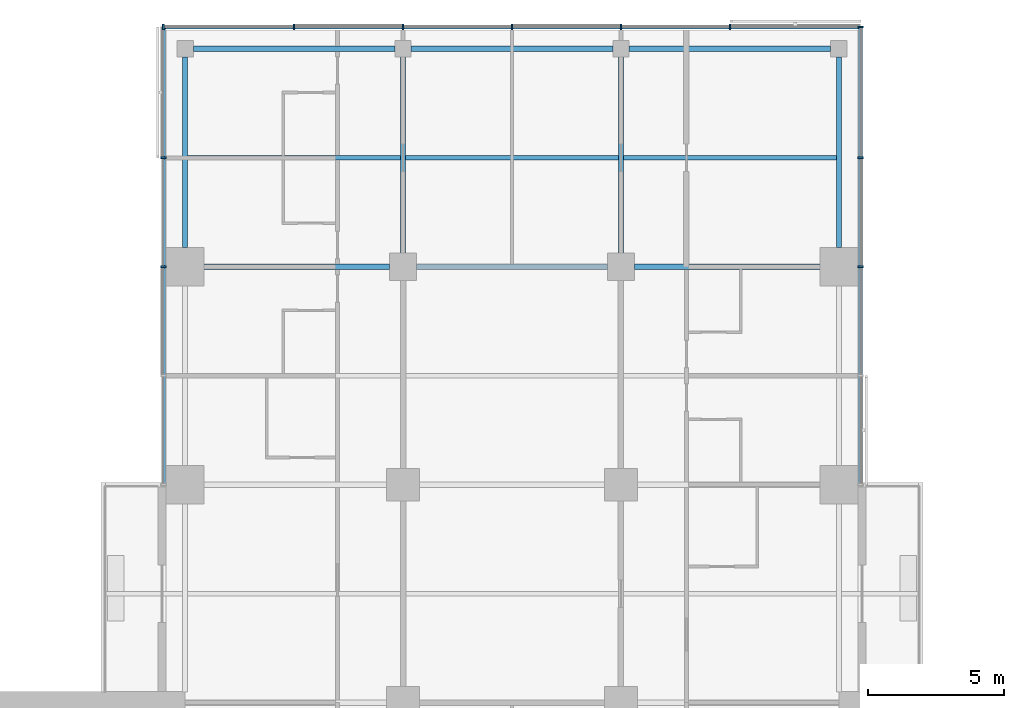
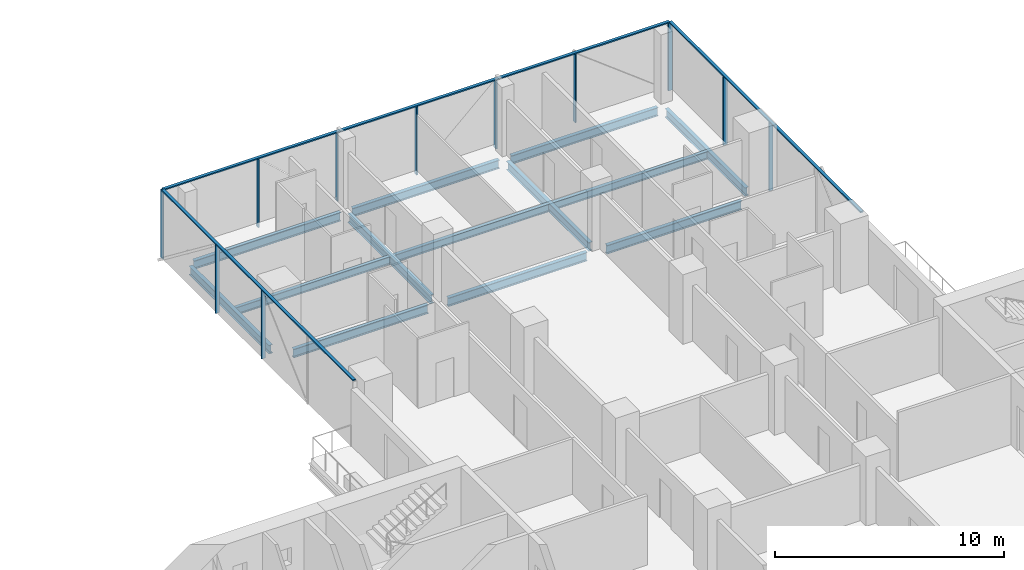
# One storey, part 12 of 27: 14 members, 13 beams, 3 elements without a shape of their own.
"""IFC4 building model written with IfcOpenShell, lengths in metres."""

from ifc_helpers import new_model, si_unit, direction, frame, origin, origin_2d, place, context, subcontext, project, spatial, rectangle, i_section, extrude, material, material_profile, profile_set, type_object, element, aggregate, save


model = new_model("IFC4")

# Units and contexts
model_context = context("Model", 3, precision=1e-05, world=origin(), true_north=direction((0.0, 1.0)))
body_context = subcontext(model_context, "Body", "Model", "MODEL_VIEW")
ifc_project = project(units=[si_unit("LENGTHUNIT", "METRE"), si_unit("AREAUNIT", "SQUARE_METRE"), si_unit("VOLUMEUNIT", "CUBIC_METRE"), si_unit("PLANEANGLEUNIT", "RADIAN"), si_unit("MASSUNIT", "GRAM", prefix="KILO")], contexts=[model_context])

# Site, building, storey
site_placement = place(None, origin())
site = spatial("IfcSite", under=ifc_project, at=site_placement, CompositionType="ELEMENT")
building_placement = place(site_placement, origin())
building = spatial("IfcBuilding", under=site, at=building_placement, Name="Crosswind Convention Tower", CompositionType="ELEMENT")
storey_placement = place(building_placement, frame((0.0, 0.0, 72.0)))
storey = spatial("IfcBuildingStorey", under=building, at=storey_placement, Name="L12", CompositionType="ELEMENT", Elevation=72.0)

# Beams
ifc_material_1 = material(Name="Steel S355", Category="steel")
ifc_material_profile_1 = material_profile(ifc_material_1, i_section(OverallWidth=0.1904296875, OverallDepth=0.457275390625, WebThickness=0.009033203125, FlangeThickness=0.014404296875, FilletRadius=0.01025390625, at=origin_2d()), Name="UB 457x191x75")
ifc_profile_set_1 = profile_set([ifc_material_profile_1], Name="Steel S355")
beam_type_1 = type_object("IfcBeamType", Name="Edge beam UB 457x191x75", PredefinedType="SPANDREL", material=ifc_profile_set_1)
beam_1_placement = place(storey_placement, frame((113.0, 128.699951171875, -0.508544921875), z_axis=(0.0, 1.0, 0.0), x_axis=(-1.0, 0.0, 0.0)))
element("IfcBeam", 1, at=beam_1_placement, inside=storey, type_object=beam_type_1, Name="B17 L12 edge beam 11", PredefinedType="SPANDREL", context=body_context, shape_type="SweptSolid", body=[
    extrude(i_section(OverallWidth=0.1904296875, OverallDepth=0.457275390625, WebThickness=0.009033203125, FlangeThickness=0.014404296875, FilletRadius=0.01025390625, at=origin_2d()), origin(), (0.0, 0.0, 1.0), 7.0),
])
for number, where, z_axis, x_axis, name in (
    (2, (113.300048828125, 136.0, -0.508544921875), (1.0, 0.0, 0.0), (0.0, 1.0, 0.0), "B17 L12 edge beam 13"),
    (3, (121.300048828125, 136.0, -0.508544921875), (1.0, 0.0, 0.0), (0.0, 1.0, 0.0), "B17 L12 edge beam 15"),
    (4, (129.300048828125, 136.0, -0.508544921875), (1.0, 0.0, 0.0), (0.0, 1.0, 0.0), "B17 L12 edge beam 17"),
):
    element("IfcBeam", number, at=place(storey_placement, frame(where, z_axis=z_axis, x_axis=x_axis)), inside=storey, type_object=beam_type_1, Name=name, PredefinedType="SPANDREL", context=body_context, shape_type="SweptSolid", body=[
        extrude(i_section(OverallWidth=0.1904296875, OverallDepth=0.457275390625, WebThickness=0.009033203125, FlangeThickness=0.014404296875, FilletRadius=0.01025390625, at=origin_2d()), origin(), (0.0, 0.0, 1.0), 7.39990234375),
    ])
beam_2_placement = place(storey_placement, frame((137.0, 128.699951171875, -0.508544921875), z_axis=(0.0, 1.0, 0.0), x_axis=(-1.0, 0.0, 0.0)))
element("IfcBeam", 5, at=beam_2_placement, inside=storey, type_object=beam_type_1, Name="B17 L12 edge beam 23", PredefinedType="SPANDREL", context=body_context, shape_type="SweptSolid", body=[
    extrude(i_section(OverallWidth=0.1904296875, OverallDepth=0.457275390625, WebThickness=0.009033203125, FlangeThickness=0.014404296875, FilletRadius=0.01025390625, at=origin_2d()), origin(), (0.0, 0.0, 1.0), 7.0),
])
ifc_material_profile_2 = material_profile(ifc_material_1, i_section(OverallWidth=0.19140625, OverallDepth=0.460205078125, WebThickness=0.010009765625, FlangeThickness=0.01611328125, FilletRadius=0.01025390625, at=origin_2d()), Name="UB 457x191x82")
ifc_profile_set_2 = profile_set([ifc_material_profile_2], Name="Steel S355")
beam_type_2 = type_object("IfcBeamType", Name="Girder UB 457x191x82", PredefinedType="BEAM", material=ifc_profile_set_2)
beam_3_placement = place(storey_placement, frame((113.699951171875, 128.0, -0.510009765625), z_axis=(1.0, 0.0, 0.0), x_axis=(0.0, 1.0, 0.0)))
element("IfcBeam", 6, at=beam_3_placement, inside=storey, type_object=beam_type_2, Name="B3 L12 girder 4", PredefinedType="BEAM", context=body_context, shape_type="SweptSolid", body=[
    extrude(i_section(OverallWidth=0.19140625, OverallDepth=0.460205078125, WebThickness=0.010009765625, FlangeThickness=0.01611328125, FilletRadius=0.01025390625, at=origin_2d()), origin(), (0.0, 0.0, 1.0), 6.800048828125),
])
beam_4_placement = place(storey_placement, frame((121.0, 128.5, -0.510009765625), z_axis=(0.0, 1.0, 0.0), x_axis=(-1.0, 0.0, 0.0)))
element("IfcBeam", 7, at=beam_4_placement, inside=storey, type_object=beam_type_2, Name="B3 L12 girder 13", PredefinedType="BEAM", context=body_context, shape_type="SweptSolid", body=[
    extrude(i_section(OverallWidth=0.19140625, OverallDepth=0.460205078125, WebThickness=0.010009765625, FlangeThickness=0.01611328125, FilletRadius=0.01025390625, at=origin_2d()), origin(), (0.0, 0.0, 1.0), 7.199951171875),
])
beam_5_placement = place(storey_placement, frame((121.5, 128.0, -0.510009765625), z_axis=(1.0, 0.0, 0.0), x_axis=(0.0, 1.0, 0.0)))
element("IfcBeam", 8, at=beam_5_placement, inside=storey, type_object=beam_type_2, Name="B3 L12 girder 15", PredefinedType="BEAM", context=body_context, shape_type="SweptSolid", body=[
    extrude(i_section(OverallWidth=0.19140625, OverallDepth=0.460205078125, WebThickness=0.010009765625, FlangeThickness=0.01611328125, FilletRadius=0.01025390625, at=origin_2d()), origin(), (0.0, 0.0, 1.0), 7.0),
])
beam_6_placement = place(storey_placement, frame((129.0, 128.5, -0.510009765625), z_axis=(0.0, 1.0, 0.0), x_axis=(-1.0, 0.0, 0.0)))
element("IfcBeam", 9, at=beam_6_placement, inside=storey, type_object=beam_type_2, Name="B3 L12 girder 30", PredefinedType="BEAM", context=body_context, shape_type="SweptSolid", body=[
    extrude(i_section(OverallWidth=0.19140625, OverallDepth=0.460205078125, WebThickness=0.010009765625, FlangeThickness=0.01611328125, FilletRadius=0.01025390625, at=origin_2d()), origin(), (0.0, 0.0, 1.0), 7.199951171875),
])
beam_7_placement = place(storey_placement, frame((129.5, 128.0, -0.510009765625), z_axis=(1.0, 0.0, 0.0), x_axis=(0.0, 1.0, 0.0)))
element("IfcBeam", 10, at=beam_7_placement, inside=storey, type_object=beam_type_2, Name="B3 L12 girder 32", PredefinedType="BEAM", context=body_context, shape_type="SweptSolid", body=[
    extrude(i_section(OverallWidth=0.19140625, OverallDepth=0.460205078125, WebThickness=0.010009765625, FlangeThickness=0.01611328125, FilletRadius=0.01025390625, at=origin_2d()), origin(), (0.0, 0.0, 1.0), 6.800048828125),
])

# Curtain wall, members
ifc_material_2 = material(Name="Aluminium unitised curtain wall", Category="aluminium")
curtain_wall_type = type_object("IfcCurtainWallType", Name="HOTEL UNITISED WALL 200", PredefinedType="USERDEFINED", material=ifc_material_2)
curtain_wall_1_placement = place(storey_placement, origin())
curtain_wall_1 = element("IfcCurtainWall", 11, at=curtain_wall_1_placement, inside=storey, type_object=curtain_wall_type, Name="CW2 L12 N-E 1", ObjectType="UNITISED", PredefinedType="USERDEFINED")
ifc_material_3 = material(Name="Aluminium mullion", Category="aluminium")
ifc_material_profile_3 = material_profile(ifc_material_3, rectangle(XDim=0.199951171875, YDim=0.06494140625, at=origin_2d()), Name="AL 200X65")
ifc_profile_set_3 = profile_set([ifc_material_profile_3], Name="Aluminium mullion")
member_type_1 = type_object("IfcMemberType", Name="MULLION 65X200", PredefinedType="MULLION", material=ifc_profile_set_3)
member_1_placement = place(storey_placement, frame((137.800048828125, 128.0, -0.280029296875), z_axis=(0.0, 0.0, 1.0), x_axis=(1.0, 0.0, 0.0)))
member_1 = element("IfcMember", 12, at=member_1_placement, type_object=member_type_1, Name="CW2 mullion 3", PredefinedType="MULLION", context=body_context, shape_type="SweptSolid", body=[
    extrude(rectangle(XDim=0.199951171875, YDim=0.06494140625, at=origin_2d()), origin(), (0.0, 0.0, 1.0), 3.635009765625),
])
member_2_placement = place(storey_placement, frame((137.800048828125, 132.0, -0.280029296875), z_axis=(0.0, 0.0, 1.0), x_axis=(1.0, 0.0, 0.0)))
member_2 = element("IfcMember", 13, at=member_2_placement, type_object=member_type_1, Name="CW2 mullion 4", PredefinedType="MULLION", context=body_context, shape_type="SweptSolid", body=[
    extrude(rectangle(XDim=0.199951171875, YDim=0.06494140625, at=origin_2d()), origin(), (0.0, 0.0, 1.0), 3.635009765625),
])
member_3_placement = place(storey_placement, frame((137.800048828125, 136.800048828125, -0.280029296875), z_axis=(0.0, 0.0, 1.0), x_axis=(1.0, 0.0, 0.0)))
member_3 = element("IfcMember", 14, at=member_3_placement, type_object=member_type_1, Name="CW2 mullion 5", PredefinedType="MULLION", context=body_context, shape_type="SweptSolid", body=[
    extrude(rectangle(XDim=0.199951171875, YDim=0.06494140625, at=origin_2d()), origin(), (0.0, 0.0, 1.0), 3.635009765625),
])

curtain_wall_2_placement = place(storey_placement, origin())
curtain_wall_2 = element("IfcCurtainWall", 15, at=curtain_wall_2_placement, inside=storey, type_object=curtain_wall_type, Name="CW2 L12 N-TIP 1", ObjectType="UNITISED", PredefinedType="USERDEFINED")
member_4_placement = place(storey_placement, frame((133.0, 136.800048828125, -0.280029296875), z_axis=(0.0, 0.0, 1.0), x_axis=(0.0, 1.0, 0.0)))
member_4 = element("IfcMember", 16, at=member_4_placement, type_object=member_type_1, Name="CW2 mullion 2", PredefinedType="MULLION", context=body_context, shape_type="SweptSolid", body=[
    extrude(rectangle(XDim=0.199951171875, YDim=0.06494140625, at=origin_2d()), origin(), (0.0, 0.0, 1.0), 3.635009765625),
])
member_5_placement = place(storey_placement, frame((129.0, 136.800048828125, -0.280029296875), z_axis=(0.0, 0.0, 1.0), x_axis=(0.0, 1.0, 0.0)))
member_5 = element("IfcMember", 17, at=member_5_placement, type_object=member_type_1, Name="CW2 mullion 3", PredefinedType="MULLION", context=body_context, shape_type="SweptSolid", body=[
    extrude(rectangle(XDim=0.199951171875, YDim=0.06494140625, at=origin_2d()), origin(), (0.0, 0.0, 1.0), 3.635009765625),
])
member_6_placement = place(storey_placement, frame((125.0, 136.800048828125, -0.280029296875), z_axis=(0.0, 0.0, 1.0), x_axis=(0.0, 1.0, 0.0)))
member_6 = element("IfcMember", 18, at=member_6_placement, type_object=member_type_1, Name="CW2 mullion 4", PredefinedType="MULLION", context=body_context, shape_type="SweptSolid", body=[
    extrude(rectangle(XDim=0.199951171875, YDim=0.06494140625, at=origin_2d()), origin(), (0.0, 0.0, 1.0), 3.635009765625),
])
member_7_placement = place(storey_placement, frame((121.0, 136.800048828125, -0.280029296875), z_axis=(0.0, 0.0, 1.0), x_axis=(0.0, 1.0, 0.0)))
member_7 = element("IfcMember", 19, at=member_7_placement, type_object=member_type_1, Name="CW2 mullion 5", PredefinedType="MULLION", context=body_context, shape_type="SweptSolid", body=[
    extrude(rectangle(XDim=0.199951171875, YDim=0.06494140625, at=origin_2d()), origin(), (0.0, 0.0, 1.0), 3.635009765625),
])
member_8_placement = place(storey_placement, frame((117.0, 136.800048828125, -0.280029296875), z_axis=(0.0, 0.0, 1.0), x_axis=(0.0, 1.0, 0.0)))
member_8 = element("IfcMember", 20, at=member_8_placement, type_object=member_type_1, Name="CW2 mullion 6", PredefinedType="MULLION", context=body_context, shape_type="SweptSolid", body=[
    extrude(rectangle(XDim=0.199951171875, YDim=0.06494140625, at=origin_2d()), origin(), (0.0, 0.0, 1.0), 3.635009765625),
])
member_9_placement = place(storey_placement, frame((112.199951171875, 136.800048828125, -0.280029296875), z_axis=(0.0, 0.0, 1.0), x_axis=(0.0, 1.0, 0.0)))
member_9 = element("IfcMember", 21, at=member_9_placement, type_object=member_type_1, Name="CW2 mullion 7", PredefinedType="MULLION", context=body_context, shape_type="SweptSolid", body=[
    extrude(rectangle(XDim=0.199951171875, YDim=0.06494140625, at=origin_2d()), origin(), (0.0, 0.0, 1.0), 3.635009765625),
])

curtain_wall_3_placement = place(storey_placement, origin())
curtain_wall_3 = element("IfcCurtainWall", 22, at=curtain_wall_3_placement, inside=storey, type_object=curtain_wall_type, Name="CW2 L12 N-W 1", ObjectType="UNITISED", PredefinedType="USERDEFINED")
member_10_placement = place(storey_placement, frame((112.199951171875, 132.0, -0.280029296875), z_axis=(0.0, 0.0, 1.0), x_axis=(-1.0, 0.0, 0.0)))
member_10 = element("IfcMember", 23, at=member_10_placement, type_object=member_type_1, Name="CW2 mullion 2", PredefinedType="MULLION", context=body_context, shape_type="SweptSolid", body=[
    extrude(rectangle(XDim=0.199951171875, YDim=0.06494140625, at=origin_2d()), origin(), (0.0, 0.0, 1.0), 3.635009765625),
])
member_11_placement = place(storey_placement, frame((112.199951171875, 128.0, -0.280029296875), z_axis=(0.0, 0.0, 1.0), x_axis=(-1.0, 0.0, 0.0)))
member_11 = element("IfcMember", 24, at=member_11_placement, type_object=member_type_1, Name="CW2 mullion 3", PredefinedType="MULLION", context=body_context, shape_type="SweptSolid", body=[
    extrude(rectangle(XDim=0.199951171875, YDim=0.06494140625, at=origin_2d()), origin(), (0.0, 0.0, 1.0), 3.635009765625),
])

# Beams
ifc_material_profile_4 = material_profile(ifc_material_1, i_section(OverallWidth=0.177734375, OverallDepth=0.406494140625, WebThickness=0.0078125, FlangeThickness=0.0126953125, FilletRadius=0.01025390625, at=origin_2d()), Name="UB 406x178x60")
ifc_profile_set_4 = profile_set([ifc_material_profile_4], Name="Steel S355")
beam_type_3 = type_object("IfcBeamType", Name="Secondary beam UB 406x178x60", PredefinedType="JOIST", material=ifc_profile_set_4)
beam_8_placement = place(storey_placement, frame((113.09521484375, 132.0, -0.483154296875), z_axis=(1.0, 0.0, 0.0), x_axis=(0.0, 1.0, 0.0)))
element("IfcBeam", 25, at=beam_8_placement, inside=storey, type_object=beam_type_3, Name="B10 L12 secondary beam 12", PredefinedType="JOIST", context=body_context, shape_type="SweptSolid", body=[
    extrude(i_section(OverallWidth=0.177734375, OverallDepth=0.406494140625, WebThickness=0.0078125, FlangeThickness=0.0126953125, FilletRadius=0.01025390625, at=origin_2d()), origin(), (0.0, 0.0, 1.0), 7.80908203125),
])
beam_9_placement = place(storey_placement, frame((121.095703125, 132.0, -0.483154296875), z_axis=(1.0, 0.0, 0.0), x_axis=(0.0, 1.0, 0.0)))
element("IfcBeam", 26, at=beam_9_placement, inside=storey, type_object=beam_type_3, Name="B10 L12 secondary beam 21", PredefinedType="JOIST", context=body_context, shape_type="SweptSolid", body=[
    extrude(i_section(OverallWidth=0.177734375, OverallDepth=0.406494140625, WebThickness=0.0078125, FlangeThickness=0.0126953125, FilletRadius=0.01025390625, at=origin_2d()), origin(), (0.0, 0.0, 1.0), 7.80859375),
])
beam_10_placement = place(storey_placement, frame((129.095703125, 132.0, -0.483154296875), z_axis=(1.0, 0.0, 0.0), x_axis=(0.0, 1.0, 0.0)))
element("IfcBeam", 27, at=beam_10_placement, inside=storey, type_object=beam_type_3, Name="B10 L12 secondary beam 30", PredefinedType="JOIST", context=body_context, shape_type="SweptSolid", body=[
    extrude(i_section(OverallWidth=0.177734375, OverallDepth=0.406494140625, WebThickness=0.0078125, FlangeThickness=0.0126953125, FilletRadius=0.01025390625, at=origin_2d()), origin(), (0.0, 0.0, 1.0), 7.80908203125),
])

# Member
ifc_material_4 = material(Name="Aluminium transom", Category="aluminium")
ifc_material_profile_5 = material_profile(ifc_material_4, rectangle(XDim=0.14990234375, YDim=0.06494140625, at=origin_2d()), Name="AL 150X65")
ifc_profile_set_5 = profile_set([ifc_material_profile_5], Name="Aluminium transom")
member_type_2 = type_object("IfcMemberType", Name="TRANSOM 65X150", PredefinedType="USERDEFINED", material=ifc_profile_set_5)
member_12_placement = place(storey_placement, frame((137.800048828125, 120.032470703125, 3.387451171875), z_axis=(0.0, 1.0, 0.0), x_axis=(-1.0, 0.0, 0.0)))
member_12 = element("IfcMember", 28, at=member_12_placement, type_object=member_type_2, Name="CW2 transom", ObjectType="TRANSOM", PredefinedType="USERDEFINED", context=body_context, shape_type="SweptSolid", body=[
    extrude(rectangle(XDim=0.14990234375, YDim=0.06494140625, at=origin_2d()), origin(), (0.0, 0.0, 1.0), 16.735107421875),
])

aggregate(curtain_wall_1, [member_1, member_2, member_3, member_12])

member_13_placement = place(storey_placement, frame((137.767578125, 136.800048828125, 3.387451171875), z_axis=(-1.0, 0.0, 0.0), x_axis=(0.0, -1.0, 0.0)))
member_13 = element("IfcMember", 29, at=member_13_placement, type_object=member_type_2, Name="CW2 transom", ObjectType="TRANSOM", PredefinedType="USERDEFINED", context=body_context, shape_type="SweptSolid", body=[
    extrude(rectangle(XDim=0.14990234375, YDim=0.06494140625, at=origin_2d()), origin(), (0.0, 0.0, 1.0), 25.53515625),
])

aggregate(curtain_wall_2, [member_4, member_5, member_6, member_7, member_8, member_9, member_13])

member_14_placement = place(storey_placement, frame((112.199951171875, 136.767578125, 3.387451171875), z_axis=(0.0, -1.0, 0.0), x_axis=(1.0, 0.0, 0.0)))
member_14 = element("IfcMember", 30, at=member_14_placement, type_object=member_type_2, Name="CW2 transom", ObjectType="TRANSOM", PredefinedType="USERDEFINED", context=body_context, shape_type="SweptSolid", body=[
    extrude(rectangle(XDim=0.14990234375, YDim=0.06494140625, at=origin_2d()), origin(), (0.0, 0.0, 1.0), 16.735107421875),
])

aggregate(curtain_wall_3, [member_10, member_11, member_14])

save(model, "model.ifc")
